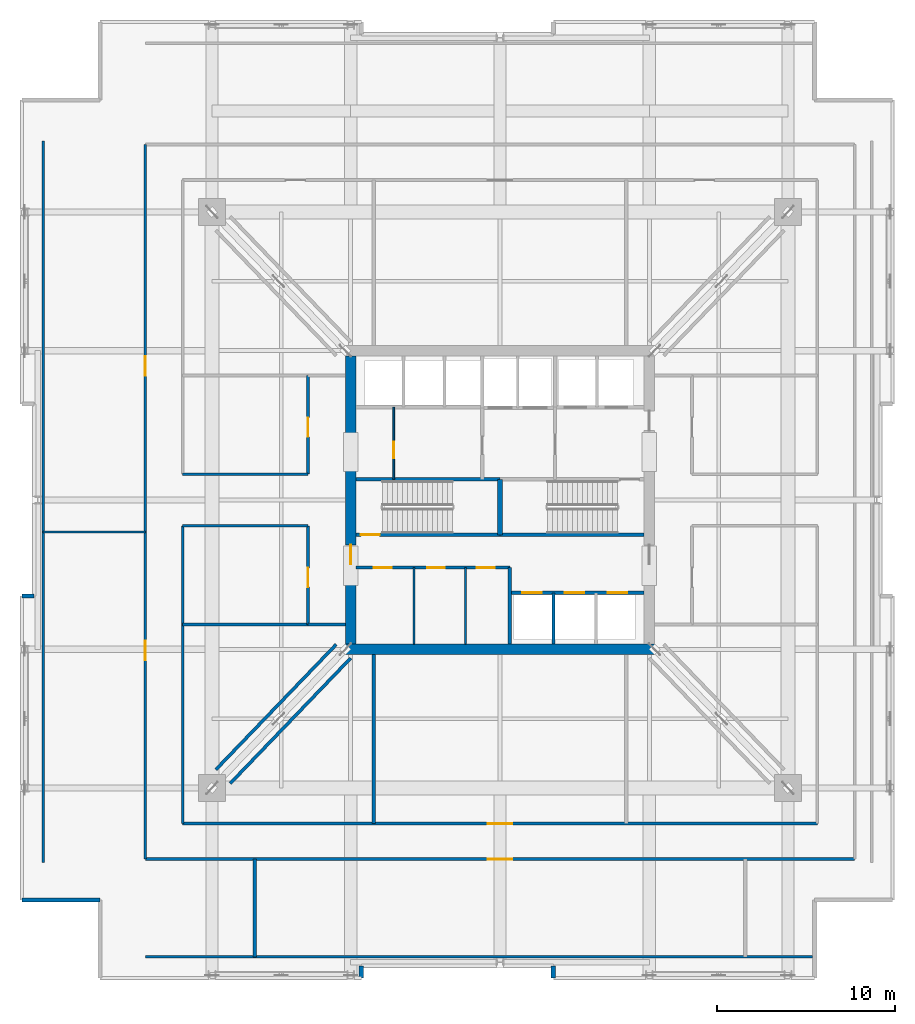
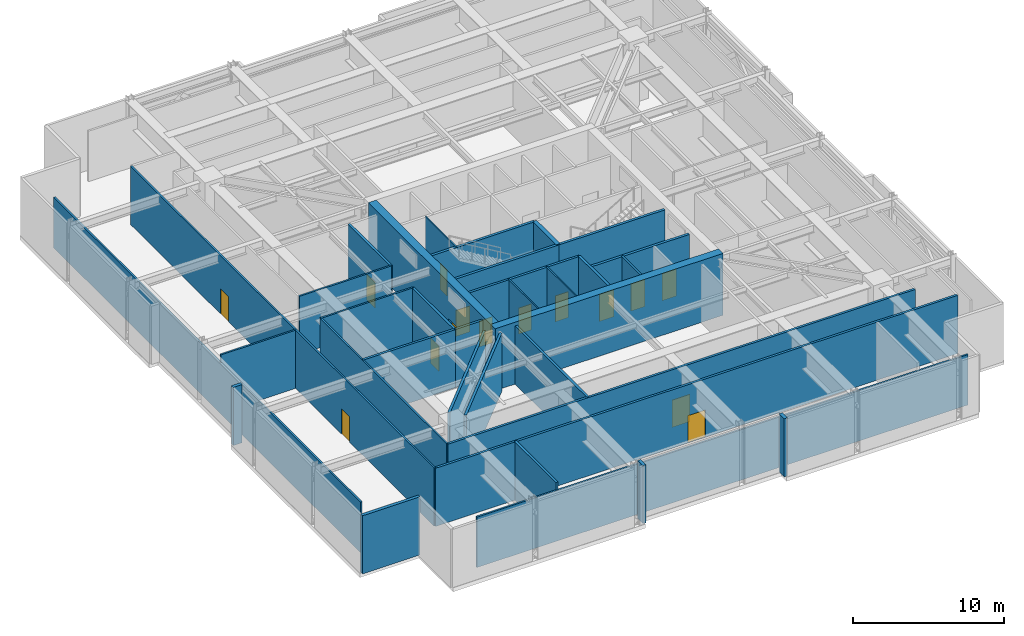
# One storey, part 7 of 13: 34 walls, 15 doors, 15 openings.
"""IFC4 building model written with IfcOpenShell, lengths in metres."""

from ifc_helpers import new_model, si_unit, direction, frame, frame_2d, origin, place, context, subcontext, project, spatial, rectangle, extrude, material, layer, layer_set, type_object, element, fill, save


model = new_model("IFC4")

# Units and contexts
model_context = context("Model", 3, precision=1e-05, world=origin(), true_north=direction((0.0, 1.0)))
body_context = subcontext(model_context, "Body", "Model", "MODEL_VIEW")
ifc_project = project(units=[si_unit("LENGTHUNIT", "METRE"), si_unit("AREAUNIT", "SQUARE_METRE"), si_unit("VOLUMEUNIT", "CUBIC_METRE"), si_unit("PLANEANGLEUNIT", "RADIAN"), si_unit("MASSUNIT", "GRAM", prefix="KILO")], contexts=[model_context])

# Site, building, storey
site_placement = place(None, origin())
site = spatial("IfcSite", under=ifc_project, at=site_placement, CompositionType="ELEMENT")
building_placement = place(site_placement, origin())
building = spatial("IfcBuilding", under=site, at=building_placement, Name="Drelvath Grand Hotel", CompositionType="ELEMENT")
storey_placement = place(building_placement, frame((0.0, 0.0, 140.800048828125)))
storey = spatial("IfcBuildingStorey", under=building, at=storey_placement, Name="L36", CompositionType="ELEMENT", Elevation=140.800048828125)

# Wall, opening, door
ifc_material_1 = material(Name="Gypsum Partition Board")
ifc_layer_1 = layer(ifc_material_1, 0.10009765625)
ifc_layer_set_1 = layer_set([ifc_layer_1], Name="Gypsum Partition Board")
wall_type_1 = type_object("IfcWallType", Name="Core Closet Partition 100", PredefinedType="PARTITIONING", material=ifc_layer_set_1)
wall_1_placement = place(storey_placement, frame((-5.97998046875, 28.159912109375, 0.0), z_axis=(0.0, 0.0, 1.0), x_axis=(0.0, 1.0, 0.0)))
wall_1 = element("IfcWall", 1, at=wall_1_placement, inside=storey, type_object=wall_type_1, Name="L36 Core Closet Divider 2", PredefinedType="PARTITIONING", context=body_context, shape_type="SweptSolid", body=[
    extrude(rectangle(XDim=4.06005859375, YDim=0.10009765625, at=frame_2d((2.030029296875, 0.0))), origin(), (0.0, 0.0, 1.0), 4.699951171875),
])
opening_1_placement = place(wall_1_placement, frame((1.199951171875, 0.0, 0.0)))
opening_1 = element("IfcOpeningElement", 2, at=opening_1_placement, cuts=wall_1, Name="Opening D-L36-010", PredefinedType="OPENING", context=body_context, shape_type="SweptSolid", body=[
    extrude(rectangle(XDim=0.919921875, YDim=2.10009765625, at=frame_2d((0.4599609375, 1.050048828125))), frame((0.0, 0.06005859375, 0.0), z_axis=(0.0, -1.0, 0.0), x_axis=(1.0, 0.0, 0.0)), (0.0, 0.0, 1.0), 0.1201171875),
])
ifc_material_2 = material(Name="Painted Steel S275", Category="steel")
door_type_1 = type_object("IfcDoorType", Name="Staff Utility Door 920x2100", OperationType="NOTDEFINED", PredefinedType="DOOR", material=ifc_material_2)
door_1_placement = place(opening_1_placement, origin())
door_1 = element("IfcDoor", 3, at=door_1_placement, inside=storey, type_object=door_type_1, Name="L36 Low-Voltage Closet Door", OperationType="SINGLE_SWING_RIGHT", OverallHeight=2.10009765625, OverallWidth=0.919921875, PredefinedType="DOOR", context=body_context, shape_type="SweptSolid", body=[
    extrude(rectangle(XDim=0.919921875, YDim=2.10009765625, at=frame_2d((0.4599609375, 1.050048828125))), frame((0.0, 0.02490234375, 0.0), z_axis=(0.0, -1.0, 0.0), x_axis=(1.0, 0.0, 0.0)), (0.0, 0.0, 1.0), 0.050048828125),
])
fill(opening_1, door_1)

# Walls
for number, where, z_axis, x_axis, name in (
    (4, (-4.840087890625, 18.89990234375, 0.0), (0.0, 0.0, 1.0), (0.0, 1.0, 0.0), "L36 Reclaimed Split 1"),
    (5, (-1.93994140625, 18.89990234375, 0.0), (0.0, 0.0, 1.0), (0.0, 1.0, 0.0), "L36 Reclaimed Split 2"),
):
    element("IfcWall", number, at=place(storey_placement, frame(where, z_axis=z_axis, x_axis=x_axis)), inside=storey, type_object=wall_type_1, Name=name, PredefinedType="PARTITIONING", context=body_context, shape_type="SweptSolid", body=[
        extrude(rectangle(XDim=4.300048828125, YDim=0.10009765625, at=frame_2d((2.14990234375, 0.0))), origin(), (0.0, 0.0, 1.0), 4.699951171875),
    ])

# Wall, openings, doors
ifc_material_3 = material(Name="Concrete C40/50", Category="concrete")
ifc_layer_2 = layer(ifc_material_3, 0.199951171875)
ifc_layer_set_2 = layer_set([ifc_layer_2], Name="Concrete C40/50")
wall_type_2 = type_object("IfcWallType", Name="Core Hoistway Fire Wall 200", PredefinedType="SOLIDWALL", material=ifc_layer_set_2)
wall_2_placement = place(storey_placement, frame((8.10009765625, 21.780029296875, 0.0), z_axis=(0.0, 0.0, 1.0), x_axis=(-1.0, 0.0, 0.0)))
wall_2 = element("IfcWall", 6, at=wall_2_placement, inside=storey, type_object=wall_type_2, Name="L36 Bank 2 Hoistway Wall", PredefinedType="SOLIDWALL", context=body_context, shape_type="SweptSolid", body=[
    extrude(rectangle(XDim=7.550048828125, YDim=0.199951171875, at=frame_2d((3.77490234375, 0.0))), origin(), (0.0, 0.0, 1.0), 4.699951171875),
])
opening_2_placement = place(wall_2_placement, frame((5.75, 0.0, 0.0)))
opening_2 = element("IfcOpeningElement", 7, at=opening_2_placement, cuts=wall_2, Name="Opening LD-PE-4", PredefinedType="OPENING", context=body_context, shape_type="SweptSolid", body=[
    extrude(rectangle(XDim=1.10009765625, YDim=2.199951171875, at=frame_2d((0.550048828125, 1.10009765625))), frame((0.0, 0.10986328125, 0.0), z_axis=(0.0, -1.0, 0.0), x_axis=(1.0, 0.0, 0.0)), (0.0, 0.0, 1.0), 0.219970703125),
])
opening_3_placement = place(wall_2_placement, frame((3.35009765625, 0.0, 0.0)))
opening_3 = element("IfcOpeningElement", 8, at=opening_3_placement, cuts=wall_2, Name="Opening LD-PE-5", PredefinedType="OPENING", context=body_context, shape_type="SweptSolid", body=[
    extrude(rectangle(XDim=1.10009765625, YDim=2.199951171875, at=frame_2d((0.550048828125, 1.10009765625))), frame((0.0, 0.10986328125, 0.0), z_axis=(0.0, -1.0, 0.0), x_axis=(1.0, 0.0, 0.0)), (0.0, 0.0, 1.0), 0.219970703125),
])
opening_4_placement = place(wall_2_placement, frame((0.949951171875, 0.0, 0.0)))
opening_4 = element("IfcOpeningElement", 9, at=opening_4_placement, cuts=wall_2, Name="Opening LD-PE-6", PredefinedType="OPENING", context=body_context, shape_type="SweptSolid", body=[
    extrude(rectangle(XDim=1.10009765625, YDim=2.199951171875, at=frame_2d((0.550048828125, 1.10009765625))), frame((0.0, 0.10986328125, 0.0), z_axis=(0.0, -1.0, 0.0), x_axis=(1.0, 0.0, 0.0)), (0.0, 0.0, 1.0), 0.219970703125),
])
ifc_material_4 = material(Name="Stainless Steel S355", Category="steel")
door_type_2 = type_object("IfcDoorType", Name="Passenger Lift Sliding Landing Door 1100x2200", OperationType="NOTDEFINED", PredefinedType="DOOR", material=ifc_material_4)
door_2_placement = place(opening_2_placement, origin())
door_2 = element("IfcDoor", 10, at=door_2_placement, inside=storey, type_object=door_type_2, Name="L36 Lift PE-4 Landing Door", OperationType="SLIDING_TO_LEFT", OverallHeight=2.199951171875, OverallWidth=1.10009765625, PredefinedType="DOOR", context=body_context, shape_type="SweptSolid", body=[
    extrude(rectangle(XDim=1.10009765625, YDim=2.199951171875, at=frame_2d((0.550048828125, 1.10009765625))), frame((0.0, 0.02490234375, 0.0), z_axis=(0.0, -1.0, 0.0), x_axis=(1.0, 0.0, 0.0)), (0.0, 0.0, 1.0), 0.050048828125),
])
fill(opening_2, door_2)
door_3_placement = place(opening_3_placement, origin())
door_3 = element("IfcDoor", 11, at=door_3_placement, inside=storey, type_object=door_type_2, Name="L36 Lift PE-5 Landing Door", OperationType="SLIDING_TO_LEFT", OverallHeight=2.199951171875, OverallWidth=1.10009765625, PredefinedType="DOOR", context=body_context, shape_type="SweptSolid", body=[
    extrude(rectangle(XDim=1.10009765625, YDim=2.199951171875, at=frame_2d((0.550048828125, 1.10009765625))), frame((0.0, 0.02490234375, 0.0), z_axis=(0.0, -1.0, 0.0), x_axis=(1.0, 0.0, 0.0)), (0.0, 0.0, 1.0), 0.050048828125),
])
fill(opening_3, door_3)
door_4_placement = place(opening_4_placement, origin())
door_4 = element("IfcDoor", 12, at=door_4_placement, inside=storey, type_object=door_type_2, Name="L36 Lift PE-6 Landing Door", OperationType="SLIDING_TO_LEFT", OverallHeight=2.199951171875, OverallWidth=1.10009765625, PredefinedType="DOOR", context=body_context, shape_type="SweptSolid", body=[
    extrude(rectangle(XDim=1.10009765625, YDim=2.199951171875, at=frame_2d((0.550048828125, 1.10009765625))), frame((0.0, 0.02490234375, 0.0), z_axis=(0.0, -1.0, 0.0), x_axis=(1.0, 0.0, 0.0)), (0.0, 0.0, 1.0), 0.050048828125),
])
fill(opening_4, door_4)

# Wall
wall_3_placement = place(storey_placement, frame((0.550048828125, 18.89990234375, 0.0), z_axis=(0.0, 0.0, 1.0), x_axis=(0.0, 1.0, 0.0)))
element("IfcWall", 13, at=wall_3_placement, inside=storey, type_object=wall_type_2, Name="L36 Bank 2 West Wall", PredefinedType="SOLIDWALL", context=body_context, shape_type="SweptSolid", body=[
    extrude(rectangle(XDim=4.300048828125, YDim=0.199951171875, at=frame_2d((2.14990234375, 0.0))), origin(), (0.0, 0.0, 1.0), 4.699951171875),
])

# Wall, opening, door
ifc_layer_3 = layer(ifc_material_3, 0.199951171875)
ifc_layer_set_3 = layer_set([ifc_layer_3], Name="Concrete C40/50")
wall_type_3 = type_object("IfcWallType", Name="Core Shaft Fire Wall 200", PredefinedType="SOLIDWALL", material=ifc_layer_set_3)
wall_4_placement = place(storey_placement, frame((-8.10009765625, 25.0400390625, 0.0), z_axis=(0.0, 0.0, 1.0), x_axis=(1.0, 0.0, 0.0)))
wall_4 = element("IfcWall", 14, at=wall_4_placement, inside=storey, type_object=wall_type_3, Name="L36 Stair ST-1 South Wall", PredefinedType="SOLIDWALL", context=body_context, shape_type="SweptSolid", body=[
    extrude(rectangle(XDim=8.10009765625, YDim=0.199951171875, at=frame_2d((4.050048828125, 0.0))), origin(), (0.0, 0.0, 1.0), 4.699951171875),
])
opening_5_placement = place(wall_4_placement, frame((0.280029296875, 0.0, 0.0)))
opening_5 = element("IfcOpeningElement", 15, at=opening_5_placement, cuts=wall_4, Name="Opening D-L36-001", PredefinedType="OPENING", context=body_context, shape_type="SweptSolid", body=[
    extrude(rectangle(XDim=1.050048828125, YDim=2.10009765625, at=frame_2d((0.52490234375, 1.050048828125))), frame((0.0, 0.10986328125, 0.0), z_axis=(0.0, -1.0, 0.0), x_axis=(1.0, 0.0, 0.0)), (0.0, 0.0, 1.0), 0.219970703125),
])
door_type_3 = type_object("IfcDoorType", Name="Tower Stairwell Fire Door 1050x2100", OperationType="NOTDEFINED", PredefinedType="DOOR", material=ifc_material_2)
door_5_placement = place(opening_5_placement, origin())
door_5 = element("IfcDoor", 16, at=door_5_placement, inside=storey, type_object=door_type_3, Name="L36 Exit Stair ST-1 Door", OperationType="SINGLE_SWING_LEFT", OverallHeight=2.10009765625, OverallWidth=1.050048828125, PredefinedType="DOOR", context=body_context, shape_type="SweptSolid", body=[
    extrude(rectangle(XDim=1.050048828125, YDim=2.10009765625, at=frame_2d((0.52490234375, 1.050048828125))), frame((0.0, 0.02490234375, 0.0), z_axis=(0.0, -1.0, 0.0), x_axis=(1.0, 0.0, 0.0)), (0.0, 0.0, 1.0), 0.050048828125),
])
fill(opening_5, door_5)

# Walls
for number, where, z_axis, x_axis, name in (
    (17, (-8.10009765625, 28.159912109375, 0.0), (0.0, 0.0, 1.0), (1.0, 0.0, 0.0), "L36 Stair ST-1 North Wall"),
    (18, (0.0, 25.0400390625, 0.0), (0.0, 0.0, 1.0), (1.0, 0.0, 0.0), "L36 Stair ST-2 South Wall"),
):
    element("IfcWall", number, at=place(storey_placement, frame(where, z_axis=z_axis, x_axis=x_axis)), inside=storey, type_object=wall_type_3, Name=name, PredefinedType="SOLIDWALL", context=body_context, shape_type="SweptSolid", body=[
        extrude(rectangle(XDim=8.10009765625, YDim=0.199951171875, at=frame_2d((4.050048828125, 0.0))), origin(), (0.0, 0.0, 1.0), 4.699951171875),
    ])
ifc_layer_4 = layer(ifc_material_3, 0.300048828125)
ifc_layer_set_4 = layer_set([ifc_layer_4], Name="Concrete C40/50")
wall_type_4 = type_object("IfcWallType", Name="Core Shaft Fire Wall 300", PredefinedType="SOLIDWALL", material=ifc_layer_set_4)
wall_5_placement = place(storey_placement, frame((0.0, 25.0400390625, 0.0), z_axis=(0.0, 0.0, 1.0), x_axis=(0.0, 1.0, 0.0)))
element("IfcWall", 19, at=wall_5_placement, inside=storey, type_object=wall_type_4, Name="L36 Core Stair Divider Wall", PredefinedType="SOLIDWALL", context=body_context, shape_type="SweptSolid", body=[
    extrude(rectangle(XDim=3.119873046875, YDim=0.300048828125, at=frame_2d((1.56005859375, 0.0))), origin(), (0.0, 0.0, 1.0), 4.699951171875),
])
ifc_material_5 = material(Name="Gypsum Fireboard Partition")
ifc_layer_5 = layer(ifc_material_5, 0.1650390625)
ifc_layer_set_5 = layer_set([ifc_layer_5], Name="Gypsum Fireboard Partition")
wall_type_5 = type_object("IfcWallType", Name="Core Shaft Partition 165", PredefinedType="PARTITIONING", material=ifc_layer_set_5)
wall_6_placement = place(storey_placement, frame((3.0, 18.89990234375, 0.0), z_axis=(0.0, 0.0, 1.0), x_axis=(0.0, 1.0, 0.0)))
element("IfcWall", 20, at=wall_6_placement, inside=storey, type_object=wall_type_5, Name="L36 Lift PE-4/5 Divider", PredefinedType="PARTITIONING", context=body_context, shape_type="SweptSolid", body=[
    extrude(rectangle(XDim=2.880126953125, YDim=0.1650390625, at=frame_2d((1.43994140625, 0.0))), origin(), (0.0, 0.0, 1.0), 4.699951171875),
])
ifc_layer_6 = layer(ifc_material_5, 0.135009765625)
ifc_layer_set_6 = layer_set([ifc_layer_6], Name="Gypsum Fireboard Partition")
wall_type_6 = type_object("IfcWallType", Name="Corridor Fire Barrier Wall 135", PredefinedType="PARTITIONING", material=ifc_layer_set_6)
wall_7_placement = place(storey_placement, frame((-25.699951171875, 6.60009765625, 0.0), z_axis=(0.0, 0.0, 1.0), x_axis=(0.0, 1.0, 0.0)))
element("IfcWall", 21, at=wall_7_placement, inside=storey, type_object=wall_type_6, Name="L36 West Belt Plenum Wall", PredefinedType="PARTITIONING", context=body_context, shape_type="SweptSolid", body=[
    extrude(rectangle(XDim=40.599853515625, YDim=0.135009765625, at=frame_2d((20.2998046875, 0.0))), origin(), (0.0, 0.0, 1.0), 4.07373046875),
])
wall_8_placement = place(storey_placement, frame((-19.949951171875, 1.300048828125, 0.0), z_axis=(0.0, 0.0, 1.0), x_axis=(1.0, 0.0, 0.0)))
element("IfcWall", 22, at=wall_8_placement, inside=storey, type_object=wall_type_6, Name="L36 South Belt Plenum Wall", PredefinedType="PARTITIONING", context=body_context, shape_type="SweptSolid", body=[
    extrude(rectangle(XDim=37.530029296875, YDim=0.135009765625, at=frame_2d((18.76513671875, 0.0))), origin(), (0.0, 0.0, 1.0), 4.07373046875),
])
for number, where, z_axis, x_axis, name in (
    (23, (-17.85009765625, 25.550048828125, 0.0), (0.0, 0.0, 1.0), (1.0, 0.0, 0.0), "L36 West Cross-Arm South Wall"),
    (24, (-17.85009765625, 28.449951171875, 0.0), (0.0, 0.0, 1.0), (1.0, 0.0, 0.0), "L36 West Cross-Arm North Wall"),
):
    element("IfcWall", number, at=place(storey_placement, frame(where, z_axis=z_axis, x_axis=x_axis)), inside=storey, type_object=wall_type_6, Name=name, PredefinedType="PARTITIONING", context=body_context, shape_type="SweptSolid", body=[
        extrude(rectangle(XDim=7.050048828125, YDim=0.135009765625, at=frame_2d((3.52490234375, 0.0))), origin(), (0.0, 0.0, 1.0), 4.699951171875),
    ])

# Wall, openings, doors
wall_9_placement = place(storey_placement, frame((-19.949951171875, 6.800048828125, 0.0), z_axis=(0.0, 0.0, 1.0), x_axis=(0.0, 1.0, 0.0)))
wall_9 = element("IfcWall", 25, at=wall_9_placement, inside=storey, type_object=wall_type_6, Name="L36 West Outer Leg Outer Wall", PredefinedType="PARTITIONING", context=body_context, shape_type="SweptSolid", body=[
    extrude(rectangle(XDim=40.199951171875, YDim=0.135009765625, at=frame_2d((20.10009765625, 0.0))), origin(), (0.0, 0.0, 1.0), 4.699951171875),
])
opening_6_placement = place(wall_9_placement, frame((11.199951171875, 0.0, 0.0)))
opening_6 = element("IfcOpeningElement", 26, at=opening_6_placement, cuts=wall_9, Name="Opening D-L36-026", PredefinedType="OPENING", context=body_context, shape_type="SweptSolid", body=[
    extrude(rectangle(XDim=1.080078125, YDim=2.0400390625, at=frame_2d((0.5400390625, 1.02001953125))), frame((0.0, 0.077392578125, 0.0), z_axis=(0.0, -1.0, 0.0), x_axis=(1.0, 0.0, 0.0)), (0.0, 0.0, 1.0), 0.155029296875),
])
opening_7_placement = place(wall_9_placement, frame((27.199951171875, 0.0, 0.0)))
opening_7 = element("IfcOpeningElement", 27, at=opening_7_placement, cuts=wall_9, Name="Opening D-L36-027", PredefinedType="OPENING", context=body_context, shape_type="SweptSolid", body=[
    extrude(rectangle(XDim=1.080078125, YDim=2.0400390625, at=frame_2d((0.5400390625, 1.02001953125))), frame((0.0, 0.077392578125, 0.0), z_axis=(0.0, -1.0, 0.0), x_axis=(1.0, 0.0, 0.0)), (0.0, 0.0, 1.0), 0.155029296875),
])
door_type_4 = type_object("IfcDoorType", Name="Core Corridor Fire Door 1080x2100", OperationType="NOTDEFINED", PredefinedType="DOOR", material=ifc_material_2)
door_6_placement = place(opening_6_placement, origin())
door_6 = element("IfcDoor", 28, at=door_6_placement, inside=storey, type_object=door_type_4, Name="L36 Chilled Water Plant Door", OperationType="SINGLE_SWING_LEFT", OverallHeight=2.0400390625, OverallWidth=1.080078125, PredefinedType="DOOR", context=body_context, shape_type="SweptSolid", body=[
    extrude(rectangle(XDim=1.080078125, YDim=2.0400390625, at=frame_2d((0.5400390625, 1.02001953125))), frame((0.0, 0.02490234375, 0.0), z_axis=(0.0, -1.0, 0.0), x_axis=(1.0, 0.0, 0.0)), (0.0, 0.0, 1.0), 0.050048828125),
])
fill(opening_6, door_6)
door_7_placement = place(opening_7_placement, origin())
door_7 = element("IfcDoor", 29, at=door_7_placement, inside=storey, type_object=door_type_4, Name="L36 Heat Exchanger Plant Door", OperationType="SINGLE_SWING_RIGHT", OverallHeight=2.0400390625, OverallWidth=1.080078125, PredefinedType="DOOR", context=body_context, shape_type="SweptSolid", body=[
    extrude(rectangle(XDim=1.080078125, YDim=2.0400390625, at=frame_2d((0.5400390625, 1.02001953125))), frame((0.0, 0.02490234375, 0.0), z_axis=(0.0, -1.0, 0.0), x_axis=(1.0, 0.0, 0.0)), (0.0, 0.0, 1.0), 0.050048828125),
])
fill(opening_7, door_7)

# Walls
wall_10_placement = place(storey_placement, frame((-17.85009765625, 8.800048828125, 0.0), z_axis=(0.0, 0.0, 1.0), x_axis=(0.0, 1.0, 0.0)))
element("IfcWall", 30, at=wall_10_placement, inside=storey, type_object=wall_type_6, Name="L36 West Outer Leg Inner S", PredefinedType="PARTITIONING", context=body_context, shape_type="SweptSolid", body=[
    extrude(rectangle(XDim=16.75, YDim=0.135009765625, at=frame_2d((8.375, 0.0))), origin(), (0.0, 0.0, 1.0), 4.699951171875),
])
wall_11_placement = place(storey_placement, frame((-25.699951171875, 25.199951171875, 0.0), z_axis=(0.0, 0.0, 1.0), x_axis=(1.0, 0.0, 0.0)))
element("IfcWall", 31, at=wall_11_placement, inside=storey, type_object=wall_type_6, Name="L36 Outer West Plant Split", PredefinedType="PARTITIONING", context=body_context, shape_type="SweptSolid", body=[
    extrude(rectangle(XDim=5.75, YDim=0.135009765625, at=frame_2d((2.875, 0.0))), origin(), (0.0, 0.0, 1.0), 4.699951171875),
])

# Wall, openings, doors
ifc_layer_7 = layer(ifc_material_5, 0.179931640625)
ifc_layer_set_7 = layer_set([ifc_layer_7], Name="Gypsum Fireboard Partition")
wall_type_7 = type_object("IfcWallType", Name="FSAE Smoke Lobby Fire Wall 180", PredefinedType="SOLIDWALL", material=ifc_layer_set_7)
wall_12_placement = place(storey_placement, frame((-8.10009765625, 23.199951171875, 0.0), z_axis=(0.0, 0.0, 1.0), x_axis=(1.0, 0.0, 0.0)))
wall_12 = element("IfcWall", 32, at=wall_12_placement, inside=storey, type_object=wall_type_7, Name="L36 Reclaimed Core Room Wall", PredefinedType="SOLIDWALL", context=body_context, shape_type="SweptSolid", body=[
    extrude(rectangle(XDim=8.650146484375, YDim=0.179931640625, at=frame_2d((4.3251953125, 0.0))), origin(), (0.0, 0.0, 1.0), 4.699951171875),
])
opening_8_placement = place(wall_12_placement, frame((1.0, 0.0, 0.0)))
opening_8 = element("IfcOpeningElement", 33, at=opening_8_placement, cuts=wall_12, Name="Opening D-L36-016", PredefinedType="OPENING", context=body_context, shape_type="SweptSolid", body=[
    extrude(rectangle(XDim=1.0, YDim=2.10009765625, at=frame_2d((0.5, 1.050048828125))), frame((0.0, 0.099853515625, 0.0), z_axis=(0.0, -1.0, 0.0), x_axis=(1.0, 0.0, 0.0)), (0.0, 0.0, 1.0), 0.199951171875),
])
opening_9_placement = place(wall_12_placement, frame((4.0, 0.0, 0.0)))
opening_9 = element("IfcOpeningElement", 34, at=opening_9_placement, cuts=wall_12, Name="Opening D-L36-017", PredefinedType="OPENING", context=body_context, shape_type="SweptSolid", body=[
    extrude(rectangle(XDim=1.0, YDim=2.10009765625, at=frame_2d((0.5, 1.050048828125))), frame((0.0, 0.099853515625, 0.0), z_axis=(0.0, -1.0, 0.0), x_axis=(1.0, 0.0, 0.0)), (0.0, 0.0, 1.0), 0.199951171875),
])
opening_10_placement = place(wall_12_placement, frame((6.800048828125, 0.0, 0.0)))
opening_10 = element("IfcOpeningElement", 35, at=opening_10_placement, cuts=wall_12, Name="Opening D-L36-018", PredefinedType="OPENING", context=body_context, shape_type="SweptSolid", body=[
    extrude(rectangle(XDim=1.0, YDim=2.10009765625, at=frame_2d((0.5, 1.050048828125))), frame((0.0, 0.099853515625, 0.0), z_axis=(0.0, -1.0, 0.0), x_axis=(1.0, 0.0, 0.0)), (0.0, 0.0, 1.0), 0.199951171875),
])
door_type_5 = type_object("IfcDoorType", Name="Core Service Fire Door 1000x2100", OperationType="NOTDEFINED", PredefinedType="DOOR", material=ifc_material_2)
door_8_placement = place(opening_8_placement, origin())
door_8 = element("IfcDoor", 36, at=door_8_placement, inside=storey, type_object=door_type_5, Name="L36 Housekeeping Door", OperationType="SINGLE_SWING_LEFT", OverallHeight=2.10009765625, OverallWidth=1.0, PredefinedType="DOOR", context=body_context, shape_type="SweptSolid", body=[
    extrude(rectangle(XDim=1.0, YDim=2.10009765625, at=frame_2d((0.5, 1.050048828125))), frame((0.0, 0.02490234375, 0.0), z_axis=(0.0, -1.0, 0.0), x_axis=(1.0, 0.0, 0.0)), (0.0, 0.0, 1.0), 0.050048828125),
])
fill(opening_8, door_8)
door_9_placement = place(opening_9_placement, origin())
door_9 = element("IfcDoor", 37, at=door_9_placement, inside=storey, type_object=door_type_5, Name="L36 Pantry Door", OperationType="SINGLE_SWING_RIGHT", OverallHeight=2.10009765625, OverallWidth=1.0, PredefinedType="DOOR", context=body_context, shape_type="SweptSolid", body=[
    extrude(rectangle(XDim=1.0, YDim=2.10009765625, at=frame_2d((0.5, 1.050048828125))), frame((0.0, 0.02490234375, 0.0), z_axis=(0.0, -1.0, 0.0), x_axis=(1.0, 0.0, 0.0)), (0.0, 0.0, 1.0), 0.050048828125),
])
fill(opening_9, door_9)
door_10_placement = place(opening_10_placement, origin())
door_10 = element("IfcDoor", 38, at=door_10_placement, inside=storey, type_object=door_type_5, Name="L36 Luggage Store Door", OperationType="SINGLE_SWING_LEFT", OverallHeight=2.10009765625, OverallWidth=1.0, PredefinedType="DOOR", context=body_context, shape_type="SweptSolid", body=[
    extrude(rectangle(XDim=1.0, YDim=2.10009765625, at=frame_2d((0.5, 1.050048828125))), frame((0.0, 0.02490234375, 0.0), z_axis=(0.0, -1.0, 0.0), x_axis=(1.0, 0.0, 0.0)), (0.0, 0.0, 1.0), 0.050048828125),
])
fill(opening_10, door_10)

# Walls
for number, where, z_axis, x_axis, name in (
    (39, (-9.20751953125, 18.8798828125, 0.0), (0.0, 0.0, 1.0), (-0.693128689913, -0.720813858926, 0.0), "L36 Truss SW Fire Bulkhead A"),
    (40, (-8.400390625, 18.103759765625, 0.0), (0.0, 0.0, 1.0), (-0.693103223405, -0.720838346445, 0.0), "L36 Truss SW Fire Bulkhead B"),
):
    element("IfcWall", number, at=place(storey_placement, frame(where, z_axis=z_axis, x_axis=x_axis)), inside=storey, type_object=wall_type_7, Name=name, PredefinedType="SOLIDWALL", context=body_context, shape_type="SweptSolid", body=[
        extrude(rectangle(XDim=9.770751953125, YDim=0.179931640625, at=frame_2d((4.88525390625, 0.0))), origin(), (0.0, 0.0, 1.0), 4.699951171875),
    ])

# Wall, opening, door
wall_13_placement = place(storey_placement, frame((-10.800048828125, 20.0, 0.0), z_axis=(0.0, 0.0, 1.0), x_axis=(0.0, 1.0, 0.0)))
wall_13 = element("IfcWall", 41, at=wall_13_placement, inside=storey, type_object=wall_type_7, Name="L36 Plant West Foyer Lower Wall", PredefinedType="SOLIDWALL", context=body_context, shape_type="SweptSolid", body=[
    extrude(rectangle(XDim=5.550048828125, YDim=0.179931640625, at=frame_2d((2.77490234375, 0.0))), origin(), (0.0, 0.0, 1.0), 4.699951171875),
])
opening_11_placement = place(wall_13_placement, frame((2.10009765625, 0.0, 0.0)))
opening_11 = element("IfcOpeningElement", 42, at=opening_11_placement, cuts=wall_13, Name="Opening D-L36-022", PredefinedType="OPENING", context=body_context, shape_type="SweptSolid", body=[
    extrude(rectangle(XDim=1.080078125, YDim=2.0400390625, at=frame_2d((0.5400390625, 1.02001953125))), frame((0.0, 0.099853515625, 0.0), z_axis=(0.0, -1.0, 0.0), x_axis=(1.0, 0.0, 0.0)), (0.0, 0.0, 1.0), 0.199951171875),
])
door_11_placement = place(opening_11_placement, origin())
door_11 = element("IfcDoor", 43, at=door_11_placement, inside=storey, type_object=door_type_4, Name="L36 AHU Plant Door", OperationType="SINGLE_SWING_LEFT", OverallHeight=2.0400390625, OverallWidth=1.080078125, PredefinedType="DOOR", context=body_context, shape_type="SweptSolid", body=[
    extrude(rectangle(XDim=1.080078125, YDim=2.0400390625, at=frame_2d((0.5400390625, 1.02001953125))), frame((0.0, 0.02490234375, 0.0), z_axis=(0.0, -1.0, 0.0), x_axis=(1.0, 0.0, 0.0)), (0.0, 0.0, 1.0), 0.050048828125),
])
fill(opening_11, door_11)

wall_14_placement = place(storey_placement, frame((-10.800048828125, 28.449951171875, 0.0), z_axis=(0.0, 0.0, 1.0), x_axis=(0.0, 1.0, 0.0)))
wall_14 = element("IfcWall", 44, at=wall_14_placement, inside=storey, type_object=wall_type_7, Name="L36 Plant West Foyer Upper Wall", PredefinedType="SOLIDWALL", context=body_context, shape_type="SweptSolid", body=[
    extrude(rectangle(XDim=5.550048828125, YDim=0.179931640625, at=frame_2d((2.77490234375, 0.0))), origin(), (0.0, 0.0, 1.0), 4.699951171875),
])
opening_12_placement = place(wall_14_placement, frame((2.10009765625, 0.0, 0.0)))
opening_12 = element("IfcOpeningElement", 45, at=opening_12_placement, cuts=wall_14, Name="Opening D-L36-023", PredefinedType="OPENING", context=body_context, shape_type="SweptSolid", body=[
    extrude(rectangle(XDim=1.080078125, YDim=2.0400390625, at=frame_2d((0.5400390625, 1.02001953125))), frame((0.0, 0.099853515625, 0.0), z_axis=(0.0, -1.0, 0.0), x_axis=(1.0, 0.0, 0.0)), (0.0, 0.0, 1.0), 0.199951171875),
])
door_12_placement = place(opening_12_placement, origin())
door_12 = element("IfcDoor", 46, at=door_12_placement, inside=storey, type_object=door_type_4, Name="L36 Makeup Fan Plant Door", OperationType="SINGLE_SWING_RIGHT", OverallHeight=2.0400390625, OverallWidth=1.080078125, PredefinedType="DOOR", context=body_context, shape_type="SweptSolid", body=[
    extrude(rectangle(XDim=1.080078125, YDim=2.0400390625, at=frame_2d((0.5400390625, 1.02001953125))), frame((0.0, 0.02490234375, 0.0), z_axis=(0.0, -1.0, 0.0), x_axis=(1.0, 0.0, 0.0)), (0.0, 0.0, 1.0), 0.050048828125),
])
fill(opening_12, door_12)

# Wall
wall_15_placement = place(storey_placement, frame((-10.800048828125, 20.0, 0.0), z_axis=(0.0, 0.0, 1.0), x_axis=(1.0, 0.0, 0.0)))
element("IfcWall", 47, at=wall_15_placement, inside=storey, type_object=wall_type_7, Name="L36 Plant West Foyer South End", PredefinedType="SOLIDWALL", context=body_context, shape_type="SweptSolid", body=[
    extrude(rectangle(XDim=2.10009765625, YDim=0.179931640625, at=frame_2d((1.050048828125, 0.0))), origin(), (0.0, 0.0, 1.0), 4.699951171875),
])

# Wall, opening, door
wall_16_placement = place(storey_placement, frame((-19.949951171875, 6.800048828125, 0.0), z_axis=(0.0, 0.0, 1.0), x_axis=(1.0, 0.0, 0.0)))
wall_16 = element("IfcWall", 48, at=wall_16_placement, inside=storey, type_object=wall_type_7, Name="L36 South Connector Outer Wall", PredefinedType="SOLIDWALL", context=body_context, shape_type="SweptSolid", body=[
    extrude(rectangle(XDim=39.89990234375, YDim=0.179931640625, at=frame_2d((19.949951171875, 0.0))), origin(), (0.0, 0.0, 1.0), 4.699951171875),
])
opening_13_placement = place(wall_16_placement, frame((19.27001953125, 0.0, 0.0)))
opening_13 = element("IfcOpeningElement", 49, at=opening_13_placement, cuts=wall_16, Name="Opening D-L36-020", PredefinedType="OPENING", context=body_context, shape_type="SweptSolid", body=[
    extrude(rectangle(XDim=1.360107421875, YDim=2.199951171875, at=frame_2d((0.68017578125, 1.10009765625))), frame((0.0, 0.099853515625, 0.0), z_axis=(0.0, -1.0, 0.0), x_axis=(1.0, 0.0, 0.0)), (0.0, 0.0, 1.0), 0.199951171875),
])
door_type_6 = type_object("IfcDoorType", Name="Plant Equipment Double Fire Door 1360x2200", OperationType="NOTDEFINED", PredefinedType="DOOR", material=ifc_material_2)
door_13_placement = place(opening_13_placement, origin())
door_13 = element("IfcDoor", 50, at=door_13_placement, inside=storey, type_object=door_type_6, Name="L36 South Perimeter Refuge Door", OperationType="SINGLE_SWING_LEFT", OverallHeight=2.199951171875, OverallWidth=1.360107421875, PredefinedType="DOOR", context=body_context, shape_type="SweptSolid", body=[
    extrude(rectangle(XDim=1.360107421875, YDim=2.199951171875, at=frame_2d((0.68017578125, 1.10009765625))), frame((0.0, 0.02490234375, 0.0), z_axis=(0.0, -1.0, 0.0), x_axis=(1.0, 0.0, 0.0)), (0.0, 0.0, 1.0), 0.050048828125),
])
fill(opening_13, door_13)

wall_17_placement = place(storey_placement, frame((-17.85009765625, 8.800048828125, 0.0), z_axis=(0.0, 0.0, 1.0), x_axis=(1.0, 0.0, 0.0)))
wall_17 = element("IfcWall", 51, at=wall_17_placement, inside=storey, type_object=wall_type_7, Name="L36 South Connector Inner Wall", PredefinedType="SOLIDWALL", context=body_context, shape_type="SweptSolid", body=[
    extrude(rectangle(XDim=35.7001953125, YDim=0.179931640625, at=frame_2d((17.85009765625, 0.0))), origin(), (0.0, 0.0, 1.0), 4.699951171875),
])
opening_14_placement = place(wall_17_placement, frame((17.169921875, 0.0, 0.0)))
opening_14 = element("IfcOpeningElement", 52, at=opening_14_placement, cuts=wall_17, Name="Opening D-L36-019", PredefinedType="OPENING", context=body_context, shape_type="SweptSolid", body=[
    extrude(rectangle(XDim=1.360107421875, YDim=2.199951171875, at=frame_2d((0.68017578125, 1.10009765625))), frame((0.0, 0.099853515625, 0.0), z_axis=(0.0, -1.0, 0.0), x_axis=(1.0, 0.0, 0.0)), (0.0, 0.0, 1.0), 0.199951171875),
])
door_14_placement = place(opening_14_placement, origin())
door_14 = element("IfcDoor", 53, at=door_14_placement, inside=storey, type_object=door_type_6, Name="L36 South Core Refuge Door", OperationType="SINGLE_SWING_RIGHT", OverallHeight=2.199951171875, OverallWidth=1.360107421875, PredefinedType="DOOR", context=body_context, shape_type="SweptSolid", body=[
    extrude(rectangle(XDim=1.360107421875, YDim=2.199951171875, at=frame_2d((0.68017578125, 1.10009765625))), frame((0.0, 0.02490234375, 0.0), z_axis=(0.0, -1.0, 0.0), x_axis=(1.0, 0.0, 0.0)), (0.0, 0.0, 1.0), 0.050048828125),
])
fill(opening_14, door_14)

# Walls
wall_18_placement = place(storey_placement, frame((-7.10009765625, 8.800048828125, 0.0), z_axis=(0.0, 0.0, 1.0), x_axis=(0.0, 1.0, 0.0)))
element("IfcWall", 54, at=wall_18_placement, inside=storey, type_object=wall_type_7, Name="L36 South Refuge Inner West Wall", PredefinedType="SOLIDWALL", context=body_context, shape_type="SweptSolid", body=[
    extrude(rectangle(XDim=9.5, YDim=0.179931640625, at=frame_2d((4.75, 0.0))), origin(), (0.0, 0.0, 1.0), 4.699951171875),
])
wall_19_placement = place(storey_placement, frame((-13.800048828125, 1.300048828125, 0.0), z_axis=(0.0, 0.0, 1.0), x_axis=(0.0, 1.0, 0.0)))
element("IfcWall", 55, at=wall_19_placement, inside=storey, type_object=wall_type_7, Name="L36 South Apron Refuge West Wall", PredefinedType="SOLIDWALL", context=body_context, shape_type="SweptSolid", body=[
    extrude(rectangle(XDim=5.5, YDim=0.179931640625, at=frame_2d((2.75, 0.0))), origin(), (0.0, 0.0, 1.0), 4.699951171875),
])
wall_20_placement = place(storey_placement, frame((-17.85009765625, 20.0, 0.0), z_axis=(0.0, 0.0, 1.0), x_axis=(1.0, 0.0, 0.0)))
element("IfcWall", 56, at=wall_20_placement, inside=storey, type_object=wall_type_7, Name="L36 West Inner Plant South Wall", PredefinedType="SOLIDWALL", context=body_context, shape_type="SweptSolid", body=[
    extrude(rectangle(XDim=7.050048828125, YDim=0.179931640625, at=frame_2d((3.52490234375, 0.0))), origin(), (0.0, 0.0, 1.0), 4.699951171875),
])
ifc_material_6 = material(Name="Concrete f'c 70 MPa", Category="concrete")
ifc_layer_8 = layer(ifc_material_6, 0.60009765625)
ifc_layer_set_8 = layer_set([ifc_layer_8], Name="Concrete f'c 70 MPa")
wall_type_8 = type_object("IfcWallType", Name="Lower Core RC Shear Wall 600", PredefinedType="SHEAR", material=ifc_layer_set_8)
wall_21_placement = place(storey_placement, frame((8.699951171875, 18.60009765625, 0.0), z_axis=(0.0, 0.0, 1.0), x_axis=(-1.0, 0.0, 0.0)))
element("IfcWall", 57, at=wall_21_placement, inside=storey, type_object=wall_type_8, Name="L36 Central Core Shear Wall S", PredefinedType="SHEAR", context=body_context, shape_type="SweptSolid", body=[
    extrude(rectangle(XDim=17.39990234375, YDim=0.60009765625, at=frame_2d((8.699951171875, 0.0))), origin(), (0.0, 0.0, 1.0), 5.0),
])

# Wall, opening, door
wall_22_placement = place(storey_placement, frame((-8.39990234375, 18.89990234375, 0.0), z_axis=(0.0, 0.0, 1.0), x_axis=(0.0, 1.0, 0.0)))
wall_22 = element("IfcWall", 58, at=wall_22_placement, inside=storey, type_object=wall_type_8, Name="L36 Central Core Shear Wall W", PredefinedType="SHEAR", context=body_context, shape_type="SweptSolid", body=[
    extrude(rectangle(XDim=16.2001953125, YDim=0.60009765625, at=frame_2d((8.10009765625, 0.0))), origin(), (0.0, 0.0, 1.0), 5.0),
])
opening_15_placement = place(wall_22_placement, frame((4.5, 0.0, 0.0)))
opening_15 = element("IfcOpeningElement", 59, at=opening_15_placement, cuts=wall_22, Name="Opening D-L36-014", PredefinedType="OPENING", context=body_context, shape_type="SweptSolid", body=[
    extrude(rectangle(XDim=1.080078125, YDim=2.0400390625, at=frame_2d((0.5400390625, 1.02001953125))), frame((0.0, 0.31005859375, 0.0), z_axis=(0.0, -1.0, 0.0), x_axis=(1.0, 0.0, 0.0)), (0.0, 0.0, 1.0), 0.6201171875),
])
door_15_placement = place(opening_15_placement, origin())
door_15 = element("IfcDoor", 60, at=door_15_placement, inside=storey, type_object=door_type_4, Name="L36 Mid-Rise Lobby West Door", OperationType="SINGLE_SWING_LEFT", OverallHeight=2.0400390625, OverallWidth=1.080078125, PredefinedType="DOOR", context=body_context, shape_type="SweptSolid", body=[
    extrude(rectangle(XDim=1.080078125, YDim=2.0400390625, at=frame_2d((0.5400390625, 1.02001953125))), frame((0.0, 0.02490234375, 0.0), z_axis=(0.0, -1.0, 0.0), x_axis=(1.0, 0.0, 0.0)), (0.0, 0.0, 1.0), 0.050048828125),
])
fill(opening_15, door_15)

# Walls
ifc_material_7 = material(Name="Pale-Metal Insulated Aluminium Spandrel Assembly", Category="aluminium")
ifc_layer_9 = layer(ifc_material_7, 0.239990234375)
ifc_layer_set_9 = layer_set([ifc_layer_9], Name="Pale-Metal Insulated Aluminium Spandrel Assembly")
wall_type_9 = type_object("IfcWallType", Name="Tower Insulated Metal Spandrel Closure Wall 240", PredefinedType="STANDARD", material=ifc_layer_set_9)
wall_23_placement = place(storey_placement, frame((-22.5, 4.5, 0.0), z_axis=(0.0, 0.0, 1.0), x_axis=(-1.0, 0.0, 0.0)))
element("IfcWall", 61, at=wall_23_placement, inside=storey, type_object=wall_type_9, Name="L36 Notched Corner Return Spandrel Wall CSW2", PredefinedType="STANDARD", context=body_context, shape_type="SweptSolid", body=[
    extrude(rectangle(XDim=4.3798828125, YDim=0.239990234375, at=frame_2d((2.18994140625, 0.0))), origin(), (0.0, 0.0, 1.0), 4.699951171875),
])
for number, where, z_axis, x_axis, name in (
    (62, (-26.8798828125, 21.60009765625, 0.0), (0.0, 0.0, 1.0), (1.0, 0.0, 0.0), "L36 Notched Corner Return Spandrel Wall RW1"),
    (63, (3.0, 0.1201171875, 0.0), (0.0, 0.0, 1.0), (0.0, 1.0, 0.0), "L36 Notched Corner Return Spandrel Wall RS1"),
    (64, (-7.800048828125, 0.800048828125, 0.0), (0.0, 0.0, 1.0), (0.0, -1.0, 0.0), "L36 Notched Corner Return Spandrel Wall RS2"),
):
    element("IfcWall", number, at=place(storey_placement, frame(where, z_axis=z_axis, x_axis=x_axis)), inside=storey, type_object=wall_type_9, Name=name, PredefinedType="STANDARD", context=body_context, shape_type="SweptSolid", body=[
        extrude(rectangle(XDim=0.679931640625, YDim=0.239990234375, at=frame_2d((0.33984375, 0.0))), origin(), (0.0, 0.0, 1.0), 4.699951171875),
    ])

save(model, "model.ifc")
